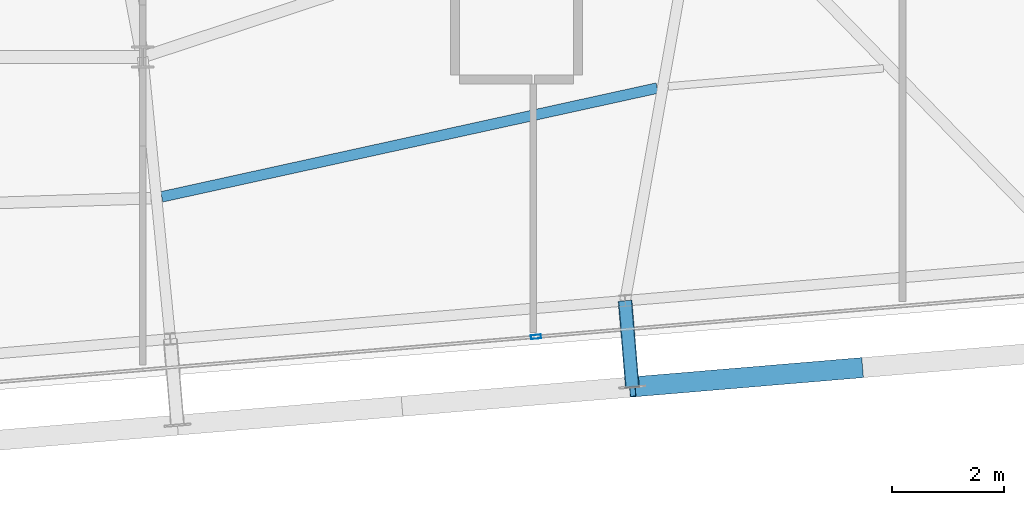
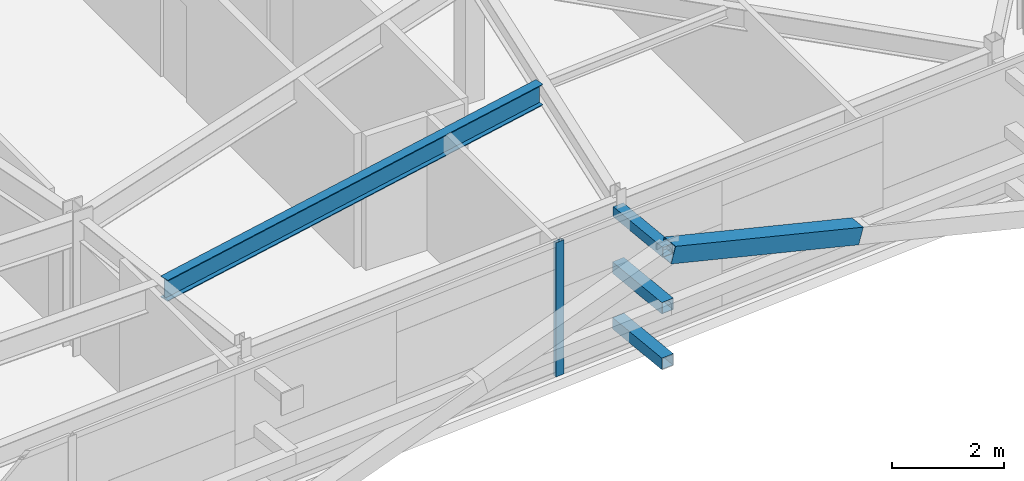
# One storey, part 16 of 37: 5 members, 1 beam, 1 element without a shape of its own.
"""IFC4 building model written with IfcOpenShell, lengths in metres."""

from ifc_helpers import new_model, si_unit, direction, frame, origin, origin_2d, place, context, subcontext, project, spatial, hollow_rectangle, i_section, extrude, source, transform, mapped, material, layer, layer_set, material_profile, profile_set, type_object, element, aggregate, save


model = new_model("IFC4")

# Units and contexts
model_context = context("Model", 3, precision=1e-05, world=origin(), true_north=direction((0.0, 1.0)))
body_context = subcontext(model_context, "Body", "Model", "MODEL_VIEW")
ifc_project = project(units=[si_unit("LENGTHUNIT", "METRE"), si_unit("AREAUNIT", "SQUARE_METRE"), si_unit("VOLUMEUNIT", "CUBIC_METRE"), si_unit("PLANEANGLEUNIT", "RADIAN"), si_unit("MASSUNIT", "GRAM", prefix="KILO")], contexts=[model_context])

# Site, building, storey
site_placement = place(None, origin())
site = spatial("IfcSite", under=ifc_project, at=site_placement, CompositionType="ELEMENT")
building_placement = place(site_placement, origin())
building = spatial("IfcBuilding", under=site, at=building_placement, Name="Taldren Reach Tower", CompositionType="ELEMENT")
storey_placement = place(building_placement, frame((0.0, 0.0, 182.0)))
storey = spatial("IfcBuildingStorey", under=building, at=storey_placement, Name="L55", CompositionType="ELEMENT", Elevation=182.0)

# Members
ifc_material_1 = material(Name="Steel Gr 350 (C350L0)", Category="steel")
ifc_material_profile_1 = material_profile(ifc_material_1, hollow_rectangle(XDim=0.25, YDim=0.25, WallThickness=0.010009765625, at=origin_2d()), Name="250x250x10.0SHS")
ifc_profile_set_1 = profile_set([ifc_material_profile_1], Name="Steel Gr 350 (C350L0)")
member_type_1 = type_object("IfcMemberType", Name="MB-POST250", PredefinedType="POST", material=ifc_profile_set_1)
shared_shape_1 = source(origin(), body_context, "Body", "SweptSolid", [
    extrude(hollow_rectangle(XDim=0.25, YDim=0.25, WallThickness=0.010009765625, at=origin_2d()), origin(), (0.0, 0.0, 1.0), 1.550048828125),
])
for number, where, z_axis, x_axis, name in (
    (1, (50.644775390625, 4.83203125, 0.219970703125), (0.083788408178, -0.996483568683, 0.0), (0.996483568683, 0.083788408178, 0.0), "Exoskeleton base diaphragm tie strut B4-S5 L55"),
    (2, (50.644775390625, 4.83203125, 1.43505859375), (0.083788408178, -0.996483568683, 0.0), (0.996483568683, 0.083788408178, 0.0), "Exoskeleton mid-tier diaphragm tie B4-S5 L55"),
):
    element("IfcMember", number, at=place(storey_placement, frame(where, z_axis=z_axis, x_axis=x_axis)), inside=storey, type_object=member_type_1, Name=name, PredefinedType="POST", context=body_context, shape_type="MappedRepresentation", body=[
        mapped(shared_shape_1, transform((0.0, 0.0, 0.0), scale=1.0)),
    ])

# Beam
ifc_material_2 = material(Name="Steel Gr 350 (350PLUS)", Category="steel")
ifc_material_profile_2 = material_profile(ifc_material_2, i_section(OverallWidth=0.19091796875, OverallDepth=0.4599609375, WebThickness=0.010009765625, FlangeThickness=0.01611328125, at=origin_2d()), Name="460UB82.1")
ifc_profile_set_2 = profile_set([ifc_material_profile_2], Name="Steel Gr 350 (350PLUS)")
beam_type = type_object("IfcBeamType", Name="BM-UB460A", PredefinedType="BEAM", material=ifc_profile_set_2)
shared_shape_2 = source(origin(), body_context, "Body", "SweptSolid", [
    extrude(i_section(OverallWidth=0.19091796875, OverallDepth=0.4599609375, WebThickness=0.010009765625, FlangeThickness=0.01611328125, at=origin_2d()), origin(), (0.0, 0.0, 1.0), 9.09228515625),
])
beam_placement = place(storey_placement, frame((42.3408203125, 6.6943359375, 2.699951171875), z_axis=(0.97674420602, 0.214407919647, 0.0), x_axis=(-0.214407919647, 0.97674420602, 0.0)))
element("IfcBeam", 3, at=beam_placement, inside=storey, type_object=beam_type, Name="Secondary floor beam B4 J4 L55", PredefinedType="BEAM", context=body_context, shape_type="MappedRepresentation", body=[
    mapped(shared_shape_2, transform((0.0, 0.0, 0.0), scale=1.0)),
])

# Members
ifc_material_3 = material(Name="Steel Gr 450 (C450L0)", Category="steel")
ifc_material_profile_3 = material_profile(ifc_material_3, hollow_rectangle(XDim=0.219970703125, YDim=0.219970703125, WallThickness=0.00830078125, at=origin_2d()), Name="220x220x8.2SHS")
ifc_profile_set_3 = profile_set([ifc_material_profile_3], Name="Steel Gr 450 (C450L0)")
member_type_2 = type_object("IfcMemberType", Name="MB-TIE219", PredefinedType="STRUT", material=ifc_profile_set_3)
shared_shape_3 = source(origin(), body_context, "Body", "SweptSolid", [
    extrude(hollow_rectangle(XDim=0.219970703125, YDim=0.219970703125, WallThickness=0.00830078125, at=origin_2d()), origin(), (0.0, 0.0, 1.0), 1.550048828125),
])
member_1_placement = place(storey_placement, frame((50.644775390625, 4.83203125, 2.64990234375), z_axis=(0.083788408178, -0.996483568683, 0.0), x_axis=(0.996483568683, 0.083788408178, 0.0)))
element("IfcMember", 4, at=member_1_placement, inside=storey, type_object=member_type_2, Name="Exoskeleton diaphragm tie strut B4-S5 L55", PredefinedType="STRUT", context=body_context, shape_type="MappedRepresentation", body=[
    mapped(shared_shape_3, transform((0.0, 0.0, 0.0), scale=1.0)),
])
ifc_material_profile_4 = material_profile(ifc_material_3, hollow_rectangle(XDim=0.360107421875, YDim=0.360107421875, WallThickness=0.0126953125, at=origin_2d()), Name="360x360x12.7SHS")
ifc_profile_set_4 = profile_set([ifc_material_profile_4], Name="Steel Gr 450 (C450L0)")
member_type_3 = type_object("IfcMemberType", Name="MB-EXO356", PredefinedType="BRACE", material=ifc_profile_set_4)
shared_shape_4 = source(origin(), body_context, "Body", "SweptSolid", [
    extrude(hollow_rectangle(XDim=0.360107421875, YDim=0.360107421875, WallThickness=0.0126953125, at=origin_2d()), origin(), (0.0, 0.0, 1.0), 4.2666015625),
])
member_2_placement = place(storey_placement, frame((54.850341796875, 3.629638671875, 1.43505859375), z_axis=(-0.955244723646, -0.080223619417, 0.284730906006), x_axis=(0.083687662192, -0.996492034688, 0.0)))
element("IfcMember", 5, at=member_2_placement, inside=storey, type_object=member_type_3, Name="Exoskeleton Diagrid Brace B4-S5 L55", PredefinedType="BRACE", context=body_context, shape_type="MappedRepresentation", body=[
    mapped(shared_shape_4, transform((0.0, 0.0, 0.0), scale=1.0)),
])

# Curtain wall, member
ifc_material_4 = material(Name="Aluminium and Low-E Glass Unitised System", Category="aluminium")
ifc_layer = layer(ifc_material_4, 0.159912109375)
ifc_layer_set = layer_set([ifc_layer], Name="Aluminium and Low-E Glass Unitised System")
curtain_wall_type = type_object("IfcCurtainWallType", Name="CW-SYS-5", PredefinedType="NOTDEFINED", material=ifc_layer_set)
curtain_wall_placement = place(storey_placement, origin())
curtain_wall = element("IfcCurtainWall", 6, at=curtain_wall_placement, inside=storey, type_object=curtain_wall_type, Name="Unitised curtain wall CW-L55-S", PredefinedType="NOTDEFINED")
ifc_material_5 = material(Name="Anodised Aluminium 6063-T6", Category="aluminium")
ifc_material_profile_5 = material_profile(ifc_material_5, hollow_rectangle(XDim=0.070068359375, YDim=0.179931640625, WallThickness=0.00390625, at=origin_2d()), Name="ALU-180x70x4RHS")
ifc_profile_set_5 = profile_set([ifc_material_profile_5], Name="Anodised Aluminium 6063-T6")
member_type_4 = type_object("IfcMemberType", Name="CW-MUL-180", PredefinedType="MULLION", material=ifc_profile_set_5)
shared_shape_5 = source(origin(), body_context, "Body", "SweptSolid", [
    extrude(hollow_rectangle(XDim=0.070068359375, YDim=0.179931640625, WallThickness=0.00390625, at=origin_2d()), origin(), (0.0, 0.0, 1.0), 2.929931640625),
])
member_3_placement = place(storey_placement, frame((49.04833984375, 4.18603515625, 0.0), z_axis=(0.0, 0.0, 1.0), x_axis=(-0.083677894865, 0.996492854922, 0.0)))
member_3 = element("IfcMember", 7, at=member_3_placement, type_object=member_type_4, Name="CW-5 mullion 4", PredefinedType="MULLION", context=body_context, shape_type="MappedRepresentation", body=[
    mapped(shared_shape_5, transform((0.0, 0.0, 0.0), scale=1.0)),
])
aggregate(curtain_wall, [member_3])

save(model, "model.ifc")
